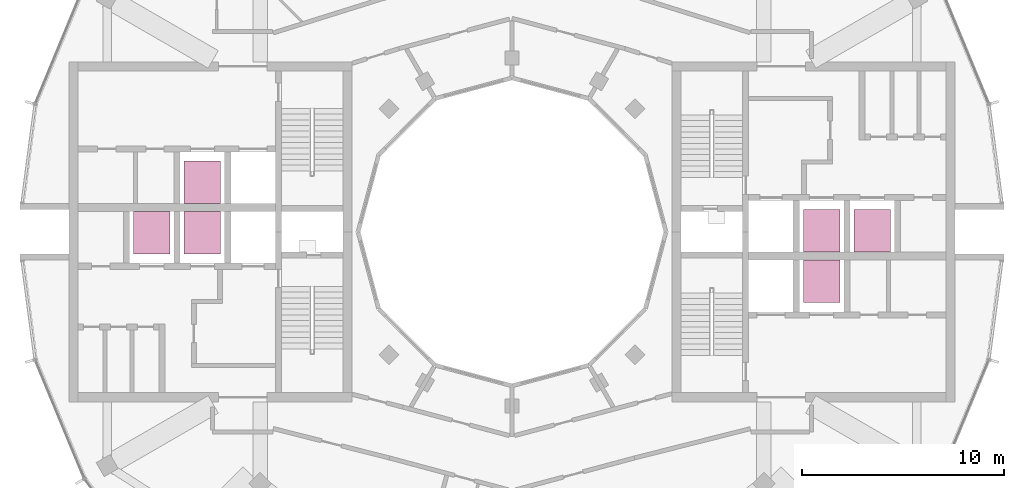
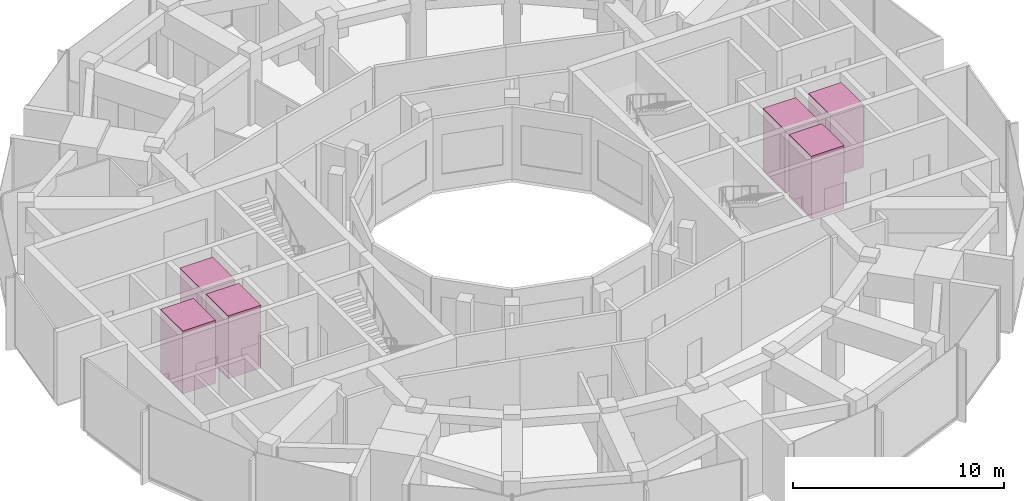
# One storey, part 14 of 14: 6 transport elements.
"""IFC4 building model written with IfcOpenShell, lengths in metres."""

from ifc_helpers import new_model, si_unit, direction, frame, origin, origin_2d, place, context, subcontext, project, spatial, rectangle, extrude, material, type_object, element, save


model = new_model("IFC4")

# Units and contexts
model_context = context("Model", 3, precision=1e-05, world=origin(), true_north=direction((0.0, 1.0)))
body_context = subcontext(model_context, "Body", "Model", "MODEL_VIEW")
ifc_project = project(units=[si_unit("LENGTHUNIT", "METRE"), si_unit("AREAUNIT", "SQUARE_METRE"), si_unit("VOLUMEUNIT", "CUBIC_METRE"), si_unit("PLANEANGLEUNIT", "RADIAN"), si_unit("MASSUNIT", "GRAM", prefix="KILO")], contexts=[model_context])

# Site, building, storey
site_placement = place(None, origin())
site = spatial("IfcSite", under=ifc_project, at=site_placement, CompositionType="ELEMENT")
building_placement = place(site_placement, origin())
building = spatial("IfcBuilding", under=site, at=building_placement, Name="Torre Brocal", CompositionType="ELEMENT")
storey_placement = place(building_placement, frame((0.0, 0.0, 288.300048828125)))
storey = spatial("IfcBuildingStorey", under=building, at=storey_placement, Name="L66", CompositionType="ELEMENT", Elevation=288.300048828125)

# Transport elements
ifc_material = material(Name="Stainless steel AISI 316", Category="steel")
transport_element_type = type_object("IfcTransportElementType", Name="PASSENGER LIFT", PredefinedType="ELEVATOR", material=ifc_material)
for number, where, z_axis, x_axis, name in (
    (1, (95.300048828125, 75.050048828125, 0.0), (0.0, 0.0, 1.0), (1.0, 0.0, 0.0), "HIGH RISE LIFT E-HR1"),
    (2, (95.300048828125, 72.550048828125, 0.0), (0.0, 0.0, 1.0), (1.0, 0.0, 0.0), "HIGH RISE LIFT E-HR2"),
    (3, (97.800048828125, 75.050048828125, 0.0), (0.0, 0.0, 1.0), (1.0, 0.0, 0.0), "HIGH RISE LIFT E-HR3"),
    (4, (64.699951171875, 74.949951171875, 0.0), (0.0, 0.0, 1.0), (1.0, 0.0, 0.0), "HIGH RISE LIFT W-HR1"),
    (5, (64.699951171875, 77.449951171875, 0.0), (0.0, 0.0, 1.0), (1.0, 0.0, 0.0), "HIGH RISE LIFT W-HR2"),
    (6, (62.199951171875, 74.949951171875, 0.0), (0.0, 0.0, 1.0), (1.0, 0.0, 0.0), "HIGH RISE LIFT W-HR3"),
):
    element("IfcTransportElement", number, at=place(storey_placement, frame(where, z_axis=z_axis, x_axis=x_axis)), inside=storey, type_object=transport_element_type, Name=name, PredefinedType="ELEVATOR", context=body_context, shape_type="SweptSolid", body=[
        extrude(rectangle(XDim=1.800048828125, YDim=2.10009765625, at=origin_2d()), origin(), (0.0, 0.0, 1.0), 3.64990234375),
    ])

save(model, "model.ifc")
